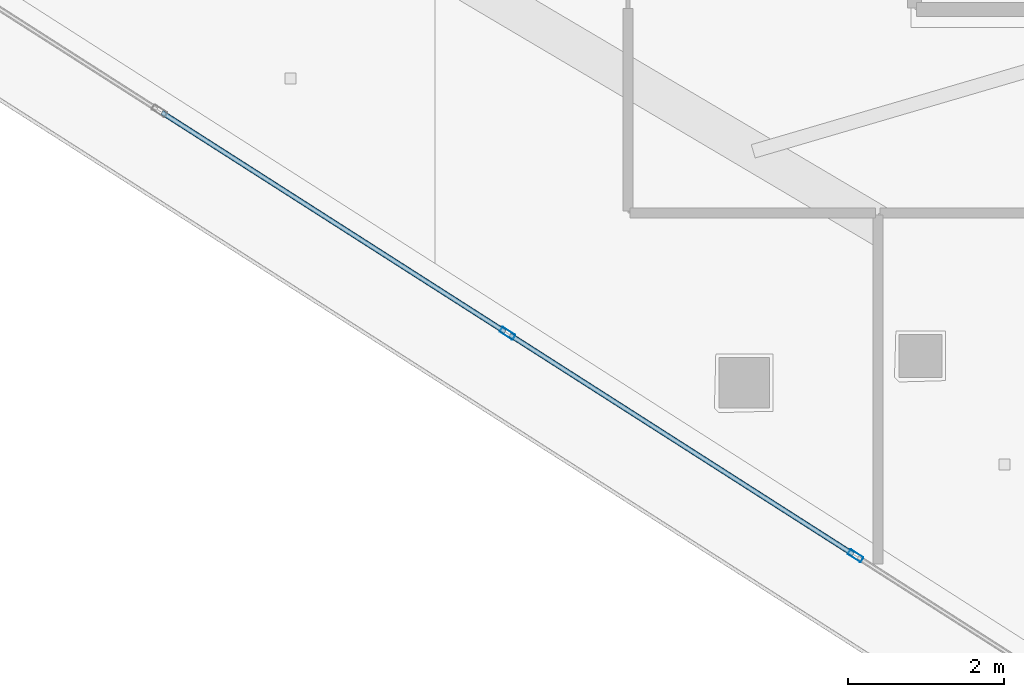
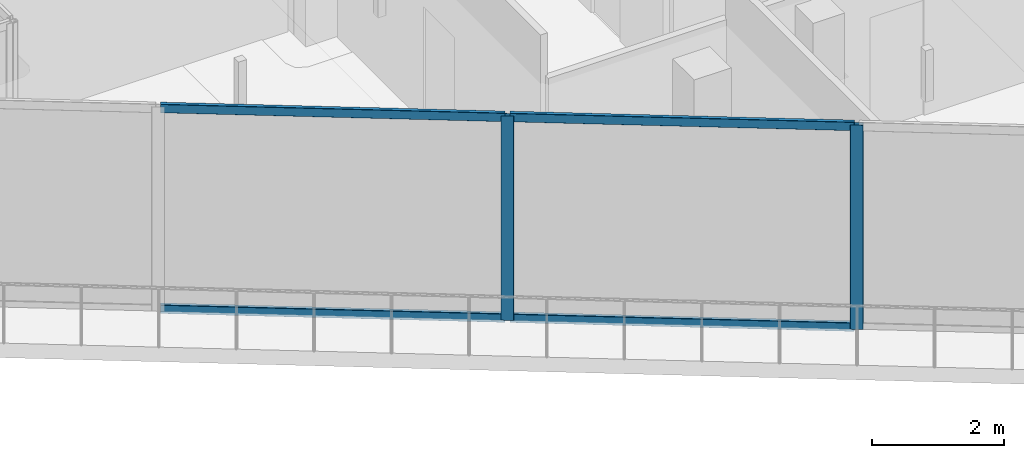
# One storey, part 2 of 36: 6 members, 1 element without a shape of its own.
"""IFC4 building model written with IfcOpenShell, lengths in metres."""

from ifc_helpers import new_model, si_unit, direction, frame, origin, origin_2d, place, context, subcontext, project, spatial, hollow_rectangle, extrude, material, layer, layer_set, material_profile, profile_set, type_object, element, aggregate, save


model = new_model("IFC4")

# Units and contexts
model_context = context("Model", 3, precision=1e-05, world=origin(), true_north=direction((0.0, 1.0)))
body_context = subcontext(model_context, "Body", "Model", "MODEL_VIEW")
ifc_project = project(units=[si_unit("LENGTHUNIT", "METRE"), si_unit("AREAUNIT", "SQUARE_METRE"), si_unit("VOLUMEUNIT", "CUBIC_METRE"), si_unit("PLANEANGLEUNIT", "RADIAN"), si_unit("MASSUNIT", "GRAM", prefix="KILO")], contexts=[model_context])

# Site, building, storey
site_placement = place(None, origin())
site = spatial("IfcSite", under=ifc_project, at=site_placement, CompositionType="ELEMENT")
building_placement = place(site_placement, origin())
building = spatial("IfcBuilding", under=site, at=building_placement, Name="Qorvath Tower", CompositionType="ELEMENT")
storey_placement = place(building_placement, frame((0.0, 0.0, 229.35009765625)))
storey = spatial("IfcBuildingStorey", under=building, at=storey_placement, Name="L53", CompositionType="ELEMENT", Elevation=229.35009765625)

# Curtain wall, members
ifc_material_1 = material(Name="Anodised aluminium and triple low-E glass", Category="aluminium")
ifc_layer = layer(ifc_material_1, 0.179931640625)
ifc_layer_set = layer_set([ifc_layer], Name="CW-SYS-5")
curtain_wall_type = type_object("IfcCurtainWallType", Name="CW-SYS-5", PredefinedType="NOTDEFINED", material=ifc_layer_set)
curtain_wall_placement = place(storey_placement, origin())
curtain_wall = element("IfcCurtainWall", 1, at=curtain_wall_placement, inside=storey, type_object=curtain_wall_type, Name="Curtain Wall CW-5 CW-T-L53-4.1", PredefinedType="NOTDEFINED")
ifc_material_2 = material(Name="Anodised aluminium 6063-T6", Category="aluminium")
ifc_material_profile_1 = material_profile(ifc_material_2, hollow_rectangle(XDim=0.074951171875, YDim=0.199951171875, WallThickness=0.00390625, InnerFilletRadius=0.00390625, OuterFilletRadius=0.008056640625, at=origin_2d()), Name="CWM 200x75")
ifc_profile_set_1 = profile_set([ifc_material_profile_1], Name="Anodised aluminium 6063-T6")
member_type_1 = type_object("IfcMemberType", Name="CWM-200", PredefinedType="MULLION", material=ifc_profile_set_1)
member_1_placement = place(storey_placement, frame((-39.405029296875, -12.50341796875, 0.0), z_axis=(0.0, 0.0, 1.0), x_axis=(0.538529366974, 0.84260674155, 0.0)))
member_1 = element("IfcMember", 2, at=member_1_placement, type_object=member_type_1, Name="CW-5 mullion 3", PredefinedType="MULLION", context=body_context, shape_type="SweptSolid", body=[
    extrude(hollow_rectangle(XDim=0.074951171875, YDim=0.199951171875, WallThickness=0.00390625, InnerFilletRadius=0.00390625, OuterFilletRadius=0.008056640625, at=origin_2d()), origin(), (0.0, 0.0, 1.0), 3.77978515625),
])
member_2_placement = place(storey_placement, frame((-34.93896484375, -15.357666015625, 0.0), z_axis=(0.0, 0.0, 1.0), x_axis=(0.538529366974, 0.84260674155, 0.0)))
member_2 = element("IfcMember", 3, at=member_2_placement, type_object=member_type_1, Name="CW-5 mullion 4", PredefinedType="MULLION", context=body_context, shape_type="SweptSolid", body=[
    extrude(hollow_rectangle(XDim=0.074951171875, YDim=0.199951171875, WallThickness=0.00390625, InnerFilletRadius=0.00390625, OuterFilletRadius=0.008056640625, at=origin_2d()), origin(), (0.0, 0.0, 1.0), 3.77978515625),
])
ifc_material_3 = material(Name="Anodised aluminium 6063-T6", Category="aluminium")
ifc_material_profile_2 = material_profile(ifc_material_3, hollow_rectangle(XDim=0.06494140625, YDim=0.159912109375, WallThickness=0.00341796875, InnerFilletRadius=0.00341796875, OuterFilletRadius=0.007080078125, at=origin_2d()), Name="CWT 160x65")
ifc_profile_set_2 = profile_set([ifc_material_profile_2], Name="Anodised aluminium 6063-T6")
member_type_2 = type_object("IfcMemberType", Name="CWT-160", PredefinedType="USERDEFINED", material=ifc_profile_set_2)
member_3_placement = place(storey_placement, frame((-43.83935546875, -9.669189453125, 0.032470703125), z_axis=(0.842605566515, -0.538531205482, 0.0), x_axis=(0.538531205482, 0.842605566515, 0.0)))
member_3 = element("IfcMember", 4, at=member_3_placement, type_object=member_type_2, Name="CW-5 transom 2.1", ObjectType="TRANSOM", PredefinedType="USERDEFINED", context=body_context, shape_type="SweptSolid", body=[
    extrude(hollow_rectangle(XDim=0.06494140625, YDim=0.159912109375, WallThickness=0.00341796875, InnerFilletRadius=0.00341796875, OuterFilletRadius=0.007080078125, at=origin_2d()), origin(), (0.0, 0.0, 1.0), 5.225341796875),
])
member_4_placement = place(storey_placement, frame((-43.83935546875, -9.669189453125, 3.747314453125), z_axis=(0.842605566515, -0.538531205482, 0.0), x_axis=(0.538531205482, 0.842605566515, 0.0)))
member_4 = element("IfcMember", 5, at=member_4_placement, type_object=member_type_2, Name="CW-5 transom 2.2", ObjectType="TRANSOM", PredefinedType="USERDEFINED", context=body_context, shape_type="SweptSolid", body=[
    extrude(hollow_rectangle(XDim=0.06494140625, YDim=0.159912109375, WallThickness=0.00341796875, InnerFilletRadius=0.00341796875, OuterFilletRadius=0.007080078125, at=origin_2d()), origin(), (0.0, 0.0, 1.0), 5.225341796875),
])
member_5_placement = place(storey_placement, frame((-39.373291015625, -12.5234375, 0.032470703125), z_axis=(0.842605566515, -0.538531205482, 0.0), x_axis=(0.538531205482, 0.842605566515, 0.0)))
member_5 = element("IfcMember", 6, at=member_5_placement, type_object=member_type_2, Name="CW-5 transom 3.1", ObjectType="TRANSOM", PredefinedType="USERDEFINED", context=body_context, shape_type="SweptSolid", body=[
    extrude(hollow_rectangle(XDim=0.06494140625, YDim=0.159912109375, WallThickness=0.00341796875, InnerFilletRadius=0.00341796875, OuterFilletRadius=0.007080078125, at=origin_2d()), origin(), (0.0, 0.0, 1.0), 5.225341796875),
])
member_6_placement = place(storey_placement, frame((-39.373291015625, -12.5234375, 3.747314453125), z_axis=(0.842605566515, -0.538531205482, 0.0), x_axis=(0.538531205482, 0.842605566515, 0.0)))
member_6 = element("IfcMember", 7, at=member_6_placement, type_object=member_type_2, Name="CW-5 transom 3.2", ObjectType="TRANSOM", PredefinedType="USERDEFINED", context=body_context, shape_type="SweptSolid", body=[
    extrude(hollow_rectangle(XDim=0.06494140625, YDim=0.159912109375, WallThickness=0.00341796875, InnerFilletRadius=0.00341796875, OuterFilletRadius=0.007080078125, at=origin_2d()), origin(), (0.0, 0.0, 1.0), 5.225341796875),
])
aggregate(curtain_wall, [member_1, member_2, member_3, member_4, member_5, member_6])

save(model, "model.ifc")
